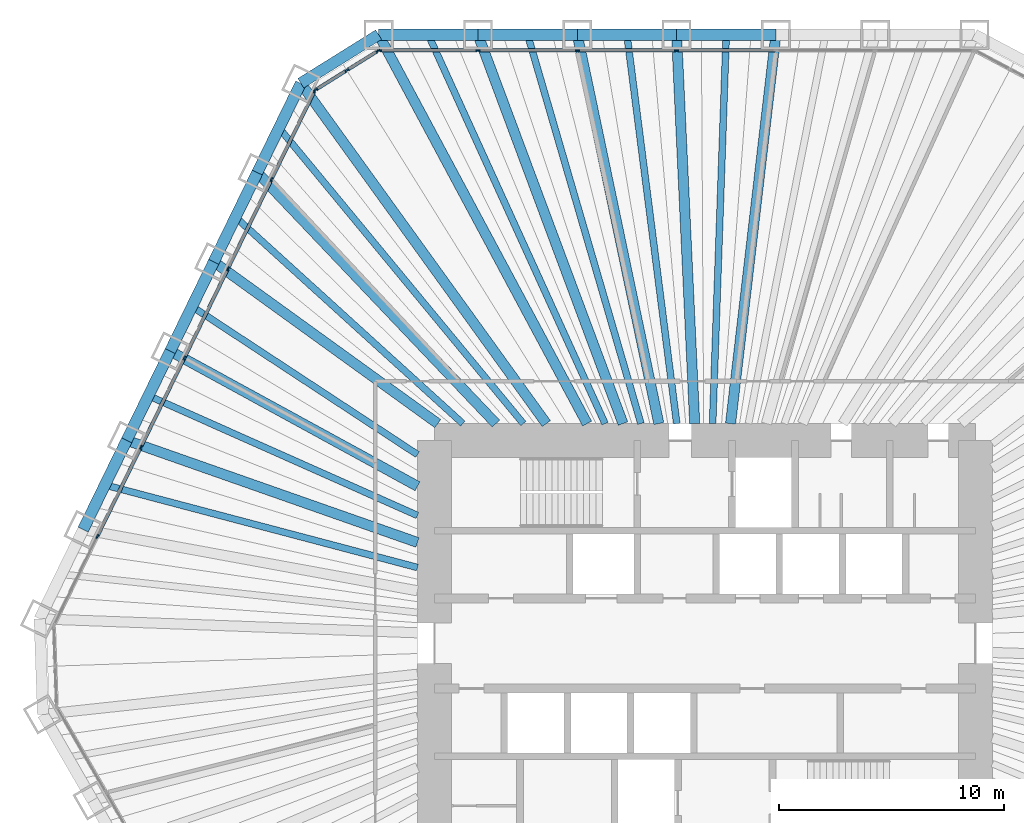
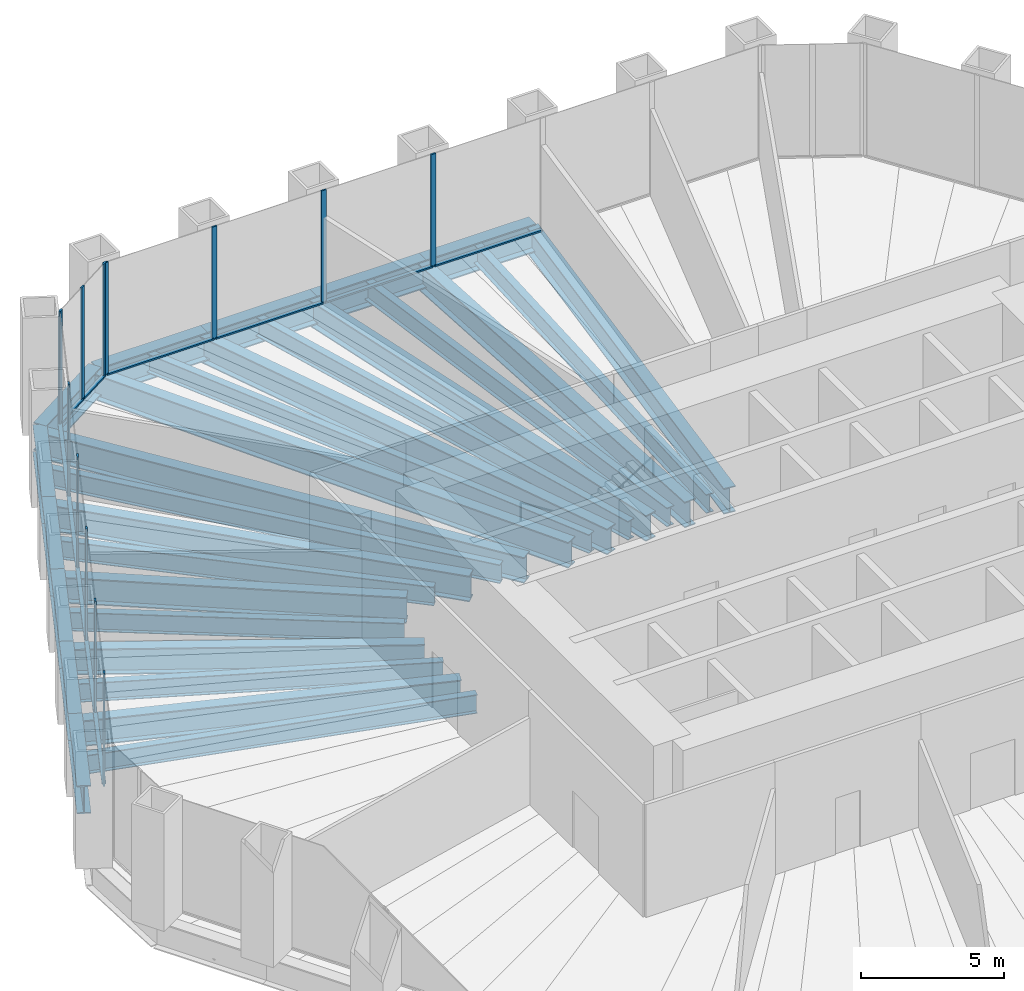
# One storey, part 6 of 13: 29 beams, 24 members, 3 elements without a shape of their own.
"""IFC4 building model written with IfcOpenShell, lengths in metres."""

from ifc_helpers import new_model, si_unit, direction, frame, origin, origin_2d, place, context, subcontext, project, spatial, rectangle, i_section, extrude, material, material_profile, profile_set, type_object, element, aggregate, save


model = new_model("IFC4")

# Units and contexts
model_context = context("Model", 3, precision=1e-05, world=origin(), true_north=direction((0.0, 1.0)))
body_context = subcontext(model_context, "Body", "Model", "MODEL_VIEW")
ifc_project = project(units=[si_unit("LENGTHUNIT", "METRE"), si_unit("AREAUNIT", "SQUARE_METRE"), si_unit("VOLUMEUNIT", "CUBIC_METRE"), si_unit("PLANEANGLEUNIT", "RADIAN"), si_unit("MASSUNIT", "GRAM", prefix="KILO")], contexts=[model_context])

# Site, building, storey
site_placement = place(None, origin())
site = spatial("IfcSite", under=ifc_project, at=site_placement, CompositionType="ELEMENT")
building_placement = place(site_placement, origin())
building = spatial("IfcBuilding", under=site, at=building_placement, Name="Qingtian Harvest Tower", CompositionType="ELEMENT")
storey_placement = place(building_placement, frame((0.0, 0.0, 72.0)))
storey = spatial("IfcBuildingStorey", under=building, at=storey_placement, Name="L14", CompositionType="ELEMENT", Elevation=72.0)

# Beams
ifc_material_1 = material(Name="Steel SM570MC", Category="steel")
ifc_material_profile_1 = material_profile(ifc_material_1, i_section(OverallWidth=0.449951171875, OverallDepth=1.10009765625, WebThickness=0.02197265625, FlangeThickness=0.044921875, at=origin_2d()), Name="H1100x450x22x45")
ifc_profile_set_1 = profile_set([ifc_material_profile_1], Name="Steel SM570MC")
beam_type_1 = type_object("IfcBeamType", Name="Corner floor beam FB8 H1100x450x22x45", PredefinedType="BEAM", material=ifc_profile_set_1)
beam_1_placement = place(storey_placement, frame((-14.471435546875, 27.0, -0.75), z_axis=(0.472401408299, -0.881383520062, 0.0), x_axis=(0.881383520062, 0.472401408299, 0.0)))
element("IfcBeam", 1, at=beam_1_placement, inside=storey, type_object=beam_type_1, Name="Floor beam FB8 N0", PredefinedType="BEAM", context=body_context, shape_type="SweptSolid", body=[
    extrude(i_section(OverallWidth=0.449951171875, OverallDepth=1.10009765625, WebThickness=0.02197265625, FlangeThickness=0.044921875, at=origin_2d()), origin(), (0.0, 0.0, 1.0), 19.571533203125),
])
beam_2_placement = place(storey_placement, frame((-17.923583984375, 24.8427734375, -0.75), z_axis=(0.585095822328, -0.810964166098, 0.0), x_axis=(0.810964166098, 0.585095822328, 0.0)))
element("IfcBeam", 2, at=beam_2_placement, inside=storey, type_object=beam_type_1, Name="Floor beam FB8 NW6", PredefinedType="BEAM", context=body_context, shape_type="SweptSolid", body=[
    extrude(i_section(OverallWidth=0.449951171875, OverallDepth=1.10009765625, WebThickness=0.02197265625, FlangeThickness=0.044921875, at=origin_2d()), origin(), (0.0, 0.0, 1.0), 18.61083984375),
])
ifc_material_2 = material(Name="Steel SM570MC", Category="steel")
ifc_material_profile_2 = material_profile(ifc_material_2, i_section(OverallWidth=0.449951171875, OverallDepth=1.10009765625, WebThickness=0.02197265625, FlangeThickness=0.044921875, at=origin_2d()), Name="H1100x450x22x45")
ifc_profile_set_2 = profile_set([ifc_material_profile_2], Name="Steel SM570MC")
beam_type_2 = type_object("IfcBeamType", Name="Floor beam FB1 H1100x450x22x45", PredefinedType="BEAM", material=ifc_profile_set_2)
beam_3_placement = place(storey_placement, frame((-10.06689453125, 27.0, -0.75), z_axis=(0.349355612113, -0.936990211414, 0.0), x_axis=(0.936990211414, 0.349355612113, 0.0)))
element("IfcBeam", 3, at=beam_3_placement, inside=storey, type_object=beam_type_2, Name="Floor beam FB1 N1", PredefinedType="BEAM", context=body_context, shape_type="SweptSolid", body=[
    extrude(i_section(OverallWidth=0.449951171875, OverallDepth=1.10009765625, WebThickness=0.02197265625, FlangeThickness=0.044921875, at=origin_2d()), origin(), (0.0, 0.0, 1.0), 18.409912109375),
])
beam_4_placement = place(storey_placement, frame((-5.662353515625, 27.0, -0.75), z_axis=(0.205255077335, -0.978708512903, 0.0), x_axis=(0.978708512903, 0.205255077335, 0.0)))
element("IfcBeam", 4, at=beam_4_placement, inside=storey, type_object=beam_type_2, Name="Floor beam FB1 N2", PredefinedType="BEAM", context=body_context, shape_type="SweptSolid", body=[
    extrude(i_section(OverallWidth=0.449951171875, OverallDepth=1.10009765625, WebThickness=0.02197265625, FlangeThickness=0.044921875, at=origin_2d()), origin(), (0.0, 0.0, 1.0), 17.625244140625),
])
beam_5_placement = place(storey_placement, frame((-1.257568359375, 27.0, -0.75), z_axis=(0.046527342366, -0.99891701678, 0.0), x_axis=(0.99891701678, 0.046527342366, 0.0)))
element("IfcBeam", 5, at=beam_5_placement, inside=storey, type_object=beam_type_2, Name="Floor beam FB1 N3", PredefinedType="BEAM", context=body_context, shape_type="SweptSolid", body=[
    extrude(i_section(OverallWidth=0.449951171875, OverallDepth=1.10009765625, WebThickness=0.02197265625, FlangeThickness=0.044921875, at=origin_2d()), origin(), (0.0, 0.0, 1.0), 17.268798828125),
])
beam_6_placement = place(storey_placement, frame((3.14697265625, 27.0, -0.75), z_axis=(-0.115766971807, -0.993276400726, 0.0), x_axis=(0.993276400726, -0.115766971807, 0.0)))
element("IfcBeam", 6, at=beam_6_placement, inside=storey, type_object=beam_type_2, Name="Floor beam FB1 N4", PredefinedType="BEAM", context=body_context, shape_type="SweptSolid", body=[
    extrude(i_section(OverallWidth=0.449951171875, OverallDepth=1.10009765625, WebThickness=0.02197265625, FlangeThickness=0.044921875, at=origin_2d()), origin(), (0.0, 0.0, 1.0), 17.36669921875),
])
beam_7_placement = place(storey_placement, frame((-25.64697265625, 9.007568359375, -0.75), z_axis=(0.943501950009, -0.331366972296, 0.0), x_axis=(0.331366972296, 0.943501950009, 0.0)))
element("IfcBeam", 7, at=beam_7_placement, inside=storey, type_object=beam_type_2, Name="Floor beam FB1 NW2", PredefinedType="BEAM", context=body_context, shape_type="SweptSolid", body=[
    extrude(i_section(OverallWidth=0.449951171875, OverallDepth=1.10009765625, WebThickness=0.02197265625, FlangeThickness=0.044921875, at=origin_2d()), origin(), (0.0, 0.0, 1.0), 13.669189453125),
])
beam_8_placement = place(storey_placement, frame((-23.716064453125, 12.96630859375, -0.75), z_axis=(0.877428569154, -0.479707312882, 0.0), x_axis=(0.479707312882, 0.877428569154, 0.0)))
element("IfcBeam", 8, at=beam_8_placement, inside=storey, type_object=beam_type_2, Name="Floor beam FB1 NW3", PredefinedType="BEAM", context=body_context, shape_type="SweptSolid", body=[
    extrude(i_section(OverallWidth=0.449951171875, OverallDepth=1.10009765625, WebThickness=0.02197265625, FlangeThickness=0.044921875, at=origin_2d()), origin(), (0.0, 0.0, 1.0), 12.498046875),
])
beam_9_placement = place(storey_placement, frame((-21.78515625, 16.92529296875, -0.75), z_axis=(0.810680279019, -0.585489099139, 0.0), x_axis=(0.585489099139, 0.810680279019, 0.0)))
element("IfcBeam", 9, at=beam_9_placement, inside=storey, type_object=beam_type_2, Name="Floor beam FB1 NW4", PredefinedType="BEAM", context=body_context, shape_type="SweptSolid", body=[
    extrude(i_section(OverallWidth=0.449951171875, OverallDepth=1.10009765625, WebThickness=0.02197265625, FlangeThickness=0.044921875, at=origin_2d()), origin(), (0.0, 0.0, 1.0), 12.255126953125),
])
beam_10_placement = place(storey_placement, frame((-19.8544921875, 20.884033203125, -0.75), z_axis=(0.689018801535, -0.724743465739, 0.0), x_axis=(0.724743465739, 0.689018801535, 0.0)))
element("IfcBeam", 10, at=beam_10_placement, inside=storey, type_object=beam_type_2, Name="Floor beam FB1 NW5", PredefinedType="BEAM", context=body_context, shape_type="SweptSolid", body=[
    extrude(i_section(OverallWidth=0.449951171875, OverallDepth=1.10009765625, WebThickness=0.02197265625, FlangeThickness=0.044921875, at=origin_2d()), origin(), (0.0, 0.0, 1.0), 15.36279296875),
])
ifc_material_3 = material(Name="Steel SN490B", Category="steel")
ifc_material_profile_3 = material_profile(ifc_material_3, i_section(OverallWidth=0.300048828125, OverallDepth=0.800048828125, WebThickness=0.013916015625, FlangeThickness=0.02587890625, at=origin_2d()), Name="H800x300x14x26")
ifc_profile_set_3 = profile_set([ifc_material_profile_3], Name="Steel SN490B")
beam_type_3 = type_object("IfcBeamType", Name="Floor joist J1 H800x300x14x26", PredefinedType="JOIST", material=ifc_profile_set_3)
beam_11_placement = place(storey_placement, frame((-12.269287109375, 27.0, -0.60009765625), z_axis=(0.413713629402, -0.910407069858, 0.0), x_axis=(0.910407069858, 0.413713629402, 0.0)))
element("IfcBeam", 11, at=beam_11_placement, inside=storey, type_object=beam_type_3, Name="Floor joist J1 N0", PredefinedType="JOIST", context=body_context, shape_type="SweptSolid", body=[
    extrude(i_section(OverallWidth=0.300048828125, OverallDepth=0.800048828125, WebThickness=0.013916015625, FlangeThickness=0.02587890625, at=origin_2d()), origin(), (0.0, 0.0, 1.0), 18.947509765625),
])
beam_12_placement = place(storey_placement, frame((-7.864501953125, 27.0, -0.60009765625), z_axis=(0.279649335299, -0.960102207719, 0.0), x_axis=(0.960102207719, 0.279649335299, 0.0)))
element("IfcBeam", 12, at=beam_12_placement, inside=storey, type_object=beam_type_3, Name="Floor joist J1 N1", PredefinedType="JOIST", context=body_context, shape_type="SweptSolid", body=[
    extrude(i_section(OverallWidth=0.300048828125, OverallDepth=0.800048828125, WebThickness=0.013916015625, FlangeThickness=0.02587890625, at=origin_2d()), origin(), (0.0, 0.0, 1.0), 17.966796875),
])
beam_13_placement = place(storey_placement, frame((-3.4599609375, 27.0, -0.60009765625), z_axis=(0.127102696173, -0.991889562716, 0.0), x_axis=(0.991889562716, 0.127102696173, 0.0)))
element("IfcBeam", 13, at=beam_13_placement, inside=storey, type_object=beam_type_3, Name="Floor joist J1 N2", PredefinedType="JOIST", context=body_context, shape_type="SweptSolid", body=[
    extrude(i_section(OverallWidth=0.300048828125, OverallDepth=0.800048828125, WebThickness=0.013916015625, FlangeThickness=0.02587890625, at=origin_2d()), origin(), (0.0, 0.0, 1.0), 17.39111328125),
])
beam_14_placement = place(storey_placement, frame((0.944580078125, 27.0, -0.60009765625), z_axis=(-0.034965020137, -0.99938853674, 0.0), x_axis=(0.99938853674, -0.034965020137, 0.0)))
element("IfcBeam", 14, at=beam_14_placement, inside=storey, type_object=beam_type_3, Name="Floor joist J1 N3", PredefinedType="JOIST", context=body_context, shape_type="SweptSolid", body=[
    extrude(i_section(OverallWidth=0.300048828125, OverallDepth=0.800048828125, WebThickness=0.013916015625, FlangeThickness=0.02587890625, at=origin_2d()), origin(), (0.0, 0.0, 1.0), 17.260498046875),
])
beam_15_placement = place(storey_placement, frame((-26.6123046875, 7.028076171875, -0.60009765625), z_axis=(0.966852496992, -0.255335561684, 0.0), x_axis=(0.255335561684, 0.966852496992, 0.0)))
element("IfcBeam", 15, at=beam_15_placement, inside=storey, type_object=beam_type_3, Name="Floor joist J1 NW1", PredefinedType="JOIST", context=body_context, shape_type="SweptSolid", body=[
    extrude(i_section(OverallWidth=0.300048828125, OverallDepth=0.800048828125, WebThickness=0.013916015625, FlangeThickness=0.02587890625, at=origin_2d()), origin(), (0.0, 0.0, 1.0), 14.337646484375),
])
beam_16_placement = place(storey_placement, frame((-24.681640625, 10.987060546875, -0.60009765625), z_axis=(0.913567796195, -0.406686466157, 0.0), x_axis=(0.406686466157, 0.913567796195, 0.0)))
element("IfcBeam", 16, at=beam_16_placement, inside=storey, type_object=beam_type_3, Name="Floor joist J1 NW2", PredefinedType="JOIST", context=body_context, shape_type="SweptSolid", body=[
    extrude(i_section(OverallWidth=0.300048828125, OverallDepth=0.800048828125, WebThickness=0.013916015625, FlangeThickness=0.02587890625, at=origin_2d()), origin(), (0.0, 0.0, 1.0), 13.060546875),
])
beam_17_placement = place(storey_placement, frame((-22.750732421875, 14.94580078125, -0.60009765625), z_axis=(0.835785467613, -0.549056146607, 0.0), x_axis=(0.549056146607, 0.835785467613, 0.0)))
element("IfcBeam", 17, at=beam_17_placement, inside=storey, type_object=beam_type_3, Name="Floor joist J1 NW3", PredefinedType="JOIST", context=body_context, shape_type="SweptSolid", body=[
    extrude(i_section(OverallWidth=0.300048828125, OverallDepth=0.800048828125, WebThickness=0.013916015625, FlangeThickness=0.02587890625, at=origin_2d()), origin(), (0.0, 0.0, 1.0), 11.965576171875),
])
beam_18_placement = place(storey_placement, frame((-20.81982421875, 18.904541015625, -0.60009765625), z_axis=(0.740339866926, -0.672232758381, 0.0), x_axis=(0.672232758381, 0.740339866926, 0.0)))
element("IfcBeam", 18, at=beam_18_placement, inside=storey, type_object=beam_type_3, Name="Floor joist J1 NW4", PredefinedType="JOIST", context=body_context, shape_type="SweptSolid", body=[
    extrude(i_section(OverallWidth=0.300048828125, OverallDepth=0.800048828125, WebThickness=0.013916015625, FlangeThickness=0.02587890625, at=origin_2d()), origin(), (0.0, 0.0, 1.0), 13.6181640625),
])
beam_19_placement = place(storey_placement, frame((-18.888916015625, 22.863525390625, -0.60009765625), z_axis=(0.636910378144, -0.77093785107, 0.0), x_axis=(0.77093785107, 0.636910378144, 0.0)))
element("IfcBeam", 19, at=beam_19_placement, inside=storey, type_object=beam_type_3, Name="Floor joist J1 NW5", PredefinedType="JOIST", context=body_context, shape_type="SweptSolid", body=[
    extrude(i_section(OverallWidth=0.300048828125, OverallDepth=0.800048828125, WebThickness=0.013916015625, FlangeThickness=0.02587890625, at=origin_2d()), origin(), (0.0, 0.0, 1.0), 17.009765625),
])

# Curtain wall, members
ifc_material_4 = material(Name="Bronze-anodised aluminium curtain wall", Category="aluminium")
curtain_wall_type = type_object("IfcCurtainWallType", Name="Curtain wall CW2 farm reception", PredefinedType="USERDEFINED", material=ifc_material_4)
curtain_wall_1_placement = place(storey_placement, origin())
curtain_wall_1 = element("IfcCurtainWall", 20, at=curtain_wall_1_placement, inside=storey, type_object=curtain_wall_type, Name="Curtain wall CW2 L14 N0-5", ObjectType="RECESSED CURTAIN WALL", PredefinedType="USERDEFINED")
ifc_material_5 = material(Name="Bronze-anodised aluminium mullion", Category="aluminium")
ifc_material_profile_4 = material_profile(ifc_material_5, rectangle(XDim=0.06494140625, YDim=0.199951171875, at=origin_2d()), Name="AL 65x200")
ifc_profile_set_4 = profile_set([ifc_material_profile_4], Name="Bronze-anodised aluminium mullion")
member_type_1 = type_object("IfcMemberType", Name="Mullion CWM 65x200", PredefinedType="MULLION", material=ifc_profile_set_4)
member_1_placement = place(storey_placement, frame((-14.43896484375, 26.300048828125, 0.0), z_axis=(0.0, 0.0, 1.0), x_axis=(0.0, 1.0, 0.0)))
member_1 = element("IfcMember", 21, at=member_1_placement, type_object=member_type_1, Name="CW2 mullion 1", PredefinedType="MULLION", context=body_context, shape_type="SweptSolid", body=[
    extrude(rectangle(XDim=0.06494140625, YDim=0.199951171875, at=origin_2d()), origin(), (0.0, 0.0, 1.0), 4.800048828125),
])
member_2_placement = place(storey_placement, frame((-10.06689453125, 26.300048828125, 0.0), z_axis=(0.0, 0.0, 1.0), x_axis=(0.0, 1.0, 0.0)))
member_2 = element("IfcMember", 22, at=member_2_placement, type_object=member_type_1, Name="CW2 mullion 2", PredefinedType="MULLION", context=body_context, shape_type="SweptSolid", body=[
    extrude(rectangle(XDim=0.06494140625, YDim=0.199951171875, at=origin_2d()), origin(), (0.0, 0.0, 1.0), 4.800048828125),
])
member_3_placement = place(storey_placement, frame((-5.662353515625, 26.300048828125, 0.0), z_axis=(0.0, 0.0, 1.0), x_axis=(0.0, 1.0, 0.0)))
member_3 = element("IfcMember", 23, at=member_3_placement, type_object=member_type_1, Name="CW2 mullion 3", PredefinedType="MULLION", context=body_context, shape_type="SweptSolid", body=[
    extrude(rectangle(XDim=0.06494140625, YDim=0.199951171875, at=origin_2d()), origin(), (0.0, 0.0, 1.0), 4.800048828125),
])
member_4_placement = place(storey_placement, frame((-1.257568359375, 26.300048828125, 0.0), z_axis=(0.0, 0.0, 1.0), x_axis=(0.0, 1.0, 0.0)))
member_4 = element("IfcMember", 24, at=member_4_placement, type_object=member_type_1, Name="CW2 mullion 4", PredefinedType="MULLION", context=body_context, shape_type="SweptSolid", body=[
    extrude(rectangle(XDim=0.06494140625, YDim=0.199951171875, at=origin_2d()), origin(), (0.0, 0.0, 1.0), 4.800048828125),
])

curtain_wall_2_placement = place(storey_placement, origin())
curtain_wall_2 = element("IfcCurtainWall", 25, at=curtain_wall_2_placement, inside=storey, type_object=curtain_wall_type, Name="Curtain wall CW2 L14 NW0-5", ObjectType="RECESSED CURTAIN WALL", PredefinedType="USERDEFINED")
member_5_placement = place(storey_placement, frame((-26.94873046875, 4.741943359375, 0.0), z_axis=(0.0, 0.0, 1.0), x_axis=(-0.898794046299, 0.438371146789, 0.0)))
member_5 = element("IfcMember", 26, at=member_5_placement, type_object=member_type_1, Name="CW2 mullion 2", PredefinedType="MULLION", context=body_context, shape_type="SweptSolid", body=[
    extrude(rectangle(XDim=0.06494140625, YDim=0.199951171875, at=origin_2d()), origin(), (0.0, 0.0, 1.0), 4.800048828125),
])
member_6_placement = place(storey_placement, frame((-25.017822265625, 8.70068359375, 0.0), z_axis=(0.0, 0.0, 1.0), x_axis=(-0.898794046299, 0.438371146789, 0.0)))
member_6 = element("IfcMember", 27, at=member_6_placement, type_object=member_type_1, Name="CW2 mullion 3", PredefinedType="MULLION", context=body_context, shape_type="SweptSolid", body=[
    extrude(rectangle(XDim=0.06494140625, YDim=0.199951171875, at=origin_2d()), origin(), (0.0, 0.0, 1.0), 4.800048828125),
])
member_7_placement = place(storey_placement, frame((-23.0869140625, 12.659423828125, 0.0), z_axis=(0.0, 0.0, 1.0), x_axis=(-0.898794046299, 0.438371146789, 0.0)))
member_7 = element("IfcMember", 28, at=member_7_placement, type_object=member_type_1, Name="CW2 mullion 4", PredefinedType="MULLION", context=body_context, shape_type="SweptSolid", body=[
    extrude(rectangle(XDim=0.06494140625, YDim=0.199951171875, at=origin_2d()), origin(), (0.0, 0.0, 1.0), 4.800048828125),
])
member_8_placement = place(storey_placement, frame((-21.156005859375, 16.618408203125, 0.0), z_axis=(0.0, 0.0, 1.0), x_axis=(-0.898794046299, 0.438371146789, 0.0)))
member_8 = element("IfcMember", 29, at=member_8_placement, type_object=member_type_1, Name="CW2 mullion 5", PredefinedType="MULLION", context=body_context, shape_type="SweptSolid", body=[
    extrude(rectangle(XDim=0.06494140625, YDim=0.199951171875, at=origin_2d()), origin(), (0.0, 0.0, 1.0), 4.800048828125),
])
member_9_placement = place(storey_placement, frame((-19.225341796875, 20.5771484375, 0.0), z_axis=(0.0, 0.0, 1.0), x_axis=(-0.898794046299, 0.438371146789, 0.0)))
member_9 = element("IfcMember", 30, at=member_9_placement, type_object=member_type_1, Name="CW2 mullion 6", PredefinedType="MULLION", context=body_context, shape_type="SweptSolid", body=[
    extrude(rectangle(XDim=0.06494140625, YDim=0.199951171875, at=origin_2d()), origin(), (0.0, 0.0, 1.0), 4.800048828125),
])
member_10_placement = place(storey_placement, frame((-17.30859375, 24.5068359375, 0.0), z_axis=(0.0, 0.0, 1.0), x_axis=(-0.898794046299, 0.438371146789, 0.0)))
member_10 = element("IfcMember", 31, at=member_10_placement, type_object=member_type_1, Name="CW2 mullion 7", PredefinedType="MULLION", context=body_context, shape_type="SweptSolid", body=[
    extrude(rectangle(XDim=0.06494140625, YDim=0.199951171875, at=origin_2d()), origin(), (0.0, 0.0, 1.0), 4.800048828125),
])

curtain_wall_3_placement = place(storey_placement, origin())
curtain_wall_3 = element("IfcCurtainWall", 32, at=curtain_wall_3_placement, inside=storey, type_object=curtain_wall_type, Name="Curtain wall CW2 L14 NWC", ObjectType="RECESSED CURTAIN WALL", PredefinedType="USERDEFINED")
member_11_placement = place(storey_placement, frame((-17.266845703125, 24.55322265625, 0.0), z_axis=(0.0, 0.0, 1.0), x_axis=(-0.529919264233, 0.848048096156, 0.0)))
member_11 = element("IfcMember", 33, at=member_11_placement, type_object=member_type_1, Name="CW2 mullion 1", PredefinedType="MULLION", context=body_context, shape_type="SweptSolid", body=[
    extrude(rectangle(XDim=0.06494140625, YDim=0.199951171875, at=origin_2d()), origin(), (0.0, 0.0, 1.0), 4.800048828125),
])
member_12_placement = place(storey_placement, frame((-15.883056640625, 25.41796875, 0.0), z_axis=(0.0, 0.0, 1.0), x_axis=(-0.529919264233, 0.848048096156, 0.0)))
member_12 = element("IfcMember", 34, at=member_12_placement, type_object=member_type_1, Name="CW2 mullion 2", PredefinedType="MULLION", context=body_context, shape_type="SweptSolid", body=[
    extrude(rectangle(XDim=0.06494140625, YDim=0.199951171875, at=origin_2d()), origin(), (0.0, 0.0, 1.0), 4.800048828125),
])
member_13_placement = place(storey_placement, frame((-14.4990234375, 26.28271484375, 0.0), z_axis=(0.0, 0.0, 1.0), x_axis=(-0.529919264233, 0.848048096156, 0.0)))
member_13 = element("IfcMember", 35, at=member_13_placement, type_object=member_type_1, Name="CW2 mullion 3", PredefinedType="MULLION", context=body_context, shape_type="SweptSolid", body=[
    extrude(rectangle(XDim=0.06494140625, YDim=0.199951171875, at=origin_2d()), origin(), (0.0, 0.0, 1.0), 4.800048828125),
])

# Beams
ifc_material_6 = material(Name="Steel SM570MC", Category="steel")
ifc_material_profile_5 = material_profile(ifc_material_6, i_section(OverallWidth=0.5, OverallDepth=1.199951171875, WebThickness=0.02490234375, FlangeThickness=0.050048828125, at=origin_2d()), Name="H1200x500x25x50")
ifc_profile_set_5 = profile_set([ifc_material_profile_5], Name="Steel SM570MC")
beam_type_4 = type_object("IfcBeamType", Name="Spandrel beam SB1 H1200x500x25x50", PredefinedType="SPANDREL", material=ifc_profile_set_5)
for number, where, z_axis, x_axis, name in (
    (36, (-14.471435546875, 27.0, -0.60009765625), (1.0, 0.0, 0.0), (0.0, 1.0, 0.0), "Spandrel SB1 N0"),
    (37, (-10.06689453125, 27.0, -0.60009765625), (1.0, 0.0, 0.0), (0.0, 1.0, 0.0), "Spandrel SB1 N1"),
):
    element("IfcBeam", number, at=place(storey_placement, frame(where, z_axis=z_axis, x_axis=x_axis)), inside=storey, type_object=beam_type_4, Name=name, PredefinedType="SPANDREL", context=body_context, shape_type="SweptSolid", body=[
        extrude(i_section(OverallWidth=0.5, OverallDepth=1.199951171875, WebThickness=0.02490234375, FlangeThickness=0.050048828125, at=origin_2d()), origin(), (0.0, 0.0, 1.0), 4.404541015625),
    ])
beam_20_placement = place(storey_placement, frame((-5.662353515625, 27.0, -0.60009765625), z_axis=(1.0, 0.0, 0.0), x_axis=(0.0, 1.0, 0.0)))
element("IfcBeam", 38, at=beam_20_placement, inside=storey, type_object=beam_type_4, Name="Spandrel SB1 N2", PredefinedType="SPANDREL", context=body_context, shape_type="SweptSolid", body=[
    extrude(i_section(OverallWidth=0.5, OverallDepth=1.199951171875, WebThickness=0.02490234375, FlangeThickness=0.050048828125, at=origin_2d()), origin(), (0.0, 0.0, 1.0), 4.40478515625),
])
for number, where, z_axis, x_axis, name in (
    (39, (-1.257568359375, 27.0, -0.60009765625), (1.0, 0.0, 0.0), (0.0, 1.0, 0.0), "Spandrel SB1 N3"),
    (40, (-27.577880859375, 5.048828125, -0.60009765625), (0.438389777529, 0.898784959241, 0.0), (-0.898784959241, 0.438389777529, 0.0), "Spandrel SB1 NW1"),
    (41, (-25.64697265625, 9.007568359375, -0.60009765625), (0.438389777529, 0.898784959241, 0.0), (-0.898784959241, 0.438389777529, 0.0), "Spandrel SB1 NW2"),
):
    element("IfcBeam", number, at=place(storey_placement, frame(where, z_axis=z_axis, x_axis=x_axis)), inside=storey, type_object=beam_type_4, Name=name, PredefinedType="SPANDREL", context=body_context, shape_type="SweptSolid", body=[
        extrude(i_section(OverallWidth=0.5, OverallDepth=1.199951171875, WebThickness=0.02490234375, FlangeThickness=0.050048828125, at=origin_2d()), origin(), (0.0, 0.0, 1.0), 4.404541015625),
    ])
beam_21_placement = place(storey_placement, frame((-23.716064453125, 12.96630859375, -0.60009765625), z_axis=(0.438367938366, 0.898795611145, 0.0), x_axis=(-0.898795611145, 0.438367938366, 0.0)))
element("IfcBeam", 42, at=beam_21_placement, inside=storey, type_object=beam_type_4, Name="Spandrel SB1 NW3", PredefinedType="SPANDREL", context=body_context, shape_type="SweptSolid", body=[
    extrude(i_section(OverallWidth=0.5, OverallDepth=1.199951171875, WebThickness=0.02490234375, FlangeThickness=0.050048828125, at=origin_2d()), origin(), (0.0, 0.0, 1.0), 4.40478515625),
])
for number, where, z_axis, x_axis, name in (
    (43, (-21.78515625, 16.92529296875, -0.60009765625), (0.438344999367, 0.898806798778, 0.0), (-0.898806798778, 0.438344999367, 0.0), "Spandrel SB1 NW4"),
    (44, (-19.8544921875, 20.884033203125, -0.60009765625), (0.438389777529, 0.898784959241, 0.0), (-0.898784959241, 0.438389777529, 0.0), "Spandrel SB1 NW5"),
):
    element("IfcBeam", number, at=place(storey_placement, frame(where, z_axis=z_axis, x_axis=x_axis)), inside=storey, type_object=beam_type_4, Name=name, PredefinedType="SPANDREL", context=body_context, shape_type="SweptSolid", body=[
        extrude(i_section(OverallWidth=0.5, OverallDepth=1.199951171875, WebThickness=0.02490234375, FlangeThickness=0.050048828125, at=origin_2d()), origin(), (0.0, 0.0, 1.0), 4.404541015625),
    ])
beam_22_placement = place(storey_placement, frame((-17.923583984375, 24.8427734375, -0.60009765625), z_axis=(0.848038733752, 0.529934246919, 0.0), x_axis=(-0.529934246919, 0.848038733752, 0.0)))
element("IfcBeam", 45, at=beam_22_placement, inside=storey, type_object=beam_type_4, Name="Spandrel SB1 NWC", PredefinedType="SPANDREL", context=body_context, shape_type="SweptSolid", body=[
    extrude(i_section(OverallWidth=0.5, OverallDepth=1.199951171875, WebThickness=0.02490234375, FlangeThickness=0.050048828125, at=origin_2d()), origin(), (0.0, 0.0, 1.0), 4.07080078125),
])

# Member
ifc_material_7 = material(Name="Bronze-anodised aluminium transom", Category="aluminium")
ifc_material_profile_6 = material_profile(ifc_material_7, rectangle(XDim=0.14990234375, YDim=0.06494140625, at=origin_2d()), Name="AL 65x150")
ifc_profile_set_6 = profile_set([ifc_material_profile_6], Name="Bronze-anodised aluminium transom")
member_type_2 = type_object("IfcMemberType", Name="Transom CWT 65x150", PredefinedType="USERDEFINED", material=ifc_profile_set_6)
member_14_placement = place(storey_placement, frame((-14.406494140625, 26.300048828125, 0.032470703125), z_axis=(1.0, 0.0, 0.0), x_axis=(0.0, 1.0, 0.0)))
member_14 = element("IfcMember", 46, at=member_14_placement, type_object=member_type_2, Name="CW2 transom 1.1", ObjectType="TRANSOM", PredefinedType="USERDEFINED", context=body_context, shape_type="SweptSolid", body=[
    extrude(rectangle(XDim=0.14990234375, YDim=0.06494140625, at=origin_2d()), origin(), (0.0, 0.0, 1.0), 4.30712890625),
])

member_15_placement = place(storey_placement, frame((-10.034423828125, 26.300048828125, 0.032470703125), z_axis=(1.0, 0.0, 0.0), x_axis=(0.0, 1.0, 0.0)))
member_15 = element("IfcMember", 47, at=member_15_placement, type_object=member_type_2, Name="CW2 transom 2.1", ObjectType="TRANSOM", PredefinedType="USERDEFINED", context=body_context, shape_type="SweptSolid", body=[
    extrude(rectangle(XDim=0.14990234375, YDim=0.06494140625, at=origin_2d()), origin(), (0.0, 0.0, 1.0), 4.339599609375),
])

member_16_placement = place(storey_placement, frame((-5.6298828125, 26.300048828125, 0.032470703125), z_axis=(1.0, 0.0, 0.0), x_axis=(0.0, 1.0, 0.0)))
member_16 = element("IfcMember", 48, at=member_16_placement, type_object=member_type_2, Name="CW2 transom 3.1", ObjectType="TRANSOM", PredefinedType="USERDEFINED", context=body_context, shape_type="SweptSolid", body=[
    extrude(rectangle(XDim=0.14990234375, YDim=0.06494140625, at=origin_2d()), origin(), (0.0, 0.0, 1.0), 4.33984375),
])

member_17_placement = place(storey_placement, frame((-1.22509765625, 26.300048828125, 0.032470703125), z_axis=(1.0, 0.0, 0.0), x_axis=(0.0, 1.0, 0.0)))
member_17 = element("IfcMember", 49, at=member_17_placement, type_object=member_type_2, Name="CW2 transom 4.1", ObjectType="TRANSOM", PredefinedType="USERDEFINED", context=body_context, shape_type="SweptSolid", body=[
    extrude(rectangle(XDim=0.14990234375, YDim=0.06494140625, at=origin_2d()), origin(), (0.0, 0.0, 1.0), 4.339599609375),
])

aggregate(curtain_wall_1, [member_1, member_2, member_3, member_4, member_14, member_15, member_16, member_17])

member_18_placement = place(storey_placement, frame((-26.934326171875, 4.77099609375, 0.032470703125), z_axis=(0.438370427127, 0.898794397302, 0.0), x_axis=(-0.898794397302, 0.438370427127, 0.0)))
member_18 = element("IfcMember", 50, at=member_18_placement, type_object=member_type_2, Name="CW2 transom 2.1", ObjectType="TRANSOM", PredefinedType="USERDEFINED", context=body_context, shape_type="SweptSolid", body=[
    extrude(rectangle(XDim=0.14990234375, YDim=0.06494140625, at=origin_2d()), origin(), (0.0, 0.0, 1.0), 4.339599609375),
])

member_19_placement = place(storey_placement, frame((-25.003662109375, 8.72998046875, 0.032470703125), z_axis=(0.438370427127, 0.898794397302, 0.0), x_axis=(-0.898794397302, 0.438370427127, 0.0)))
member_19 = element("IfcMember", 51, at=member_19_placement, type_object=member_type_2, Name="CW2 transom 3.1", ObjectType="TRANSOM", PredefinedType="USERDEFINED", context=body_context, shape_type="SweptSolid", body=[
    extrude(rectangle(XDim=0.14990234375, YDim=0.06494140625, at=origin_2d()), origin(), (0.0, 0.0, 1.0), 4.339599609375),
])

member_20_placement = place(storey_placement, frame((-23.07275390625, 12.688720703125, 0.032470703125), z_axis=(0.438370427127, 0.898794397302, 0.0), x_axis=(-0.898794397302, 0.438370427127, 0.0)))
member_20 = element("IfcMember", 52, at=member_20_placement, type_object=member_type_2, Name="CW2 transom 4.1", ObjectType="TRANSOM", PredefinedType="USERDEFINED", context=body_context, shape_type="SweptSolid", body=[
    extrude(rectangle(XDim=0.14990234375, YDim=0.06494140625, at=origin_2d()), origin(), (0.0, 0.0, 1.0), 4.339599609375),
])

member_21_placement = place(storey_placement, frame((-21.141845703125, 16.6474609375, 0.032470703125), z_axis=(0.438348261778, 0.898805207704, 0.0), x_axis=(-0.898805207704, 0.438348261778, 0.0)))
member_21 = element("IfcMember", 53, at=member_21_placement, type_object=member_type_2, Name="CW2 transom 5.1", ObjectType="TRANSOM", PredefinedType="USERDEFINED", context=body_context, shape_type="SweptSolid", body=[
    extrude(rectangle(XDim=0.14990234375, YDim=0.06494140625, at=origin_2d()), origin(), (0.0, 0.0, 1.0), 4.33984375),
])

member_22_placement = place(storey_placement, frame((-19.2109375, 20.6064453125, 0.032470703125), z_axis=(0.438348803491, 0.89880494351, 0.0), x_axis=(-0.89880494351, 0.438348803491, 0.0)))
member_22 = element("IfcMember", 54, at=member_22_placement, type_object=member_type_2, Name="CW2 transom 6.1", ObjectType="TRANSOM", PredefinedType="USERDEFINED", context=body_context, shape_type="SweptSolid", body=[
    extrude(rectangle(XDim=0.14990234375, YDim=0.06494140625, at=origin_2d()), origin(), (0.0, 0.0, 1.0), 4.306884765625),
])

aggregate(curtain_wall_2, [member_5, member_6, member_7, member_8, member_9, member_10, member_18, member_19, member_20, member_21, member_22])

member_23_placement = place(storey_placement, frame((-17.2392578125, 24.570556640625, 0.032470703125), z_axis=(0.848059570903, 0.529900900357, 0.0), x_axis=(-0.529900900357, 0.848059570903, 0.0)))
member_23 = element("IfcMember", 55, at=member_23_placement, type_object=member_type_2, Name="CW2 transom 1.1", ObjectType="TRANSOM", PredefinedType="USERDEFINED", context=body_context, shape_type="SweptSolid", body=[
    extrude(rectangle(XDim=0.14990234375, YDim=0.06494140625, at=origin_2d()), origin(), (0.0, 0.0, 1.0), 1.56689453125),
])

member_24_placement = place(storey_placement, frame((-15.85546875, 25.435302734375, 0.032470703125), z_axis=(0.848059570903, 0.529900900357, 0.0), x_axis=(-0.529900900357, 0.848059570903, 0.0)))
member_24 = element("IfcMember", 56, at=member_24_placement, type_object=member_type_2, Name="CW2 transom 2.1", ObjectType="TRANSOM", PredefinedType="USERDEFINED", context=body_context, shape_type="SweptSolid", body=[
    extrude(rectangle(XDim=0.14990234375, YDim=0.06494140625, at=origin_2d()), origin(), (0.0, 0.0, 1.0), 1.56689453125),
])

aggregate(curtain_wall_3, [member_11, member_12, member_13, member_23, member_24])

save(model, "model.ifc")
